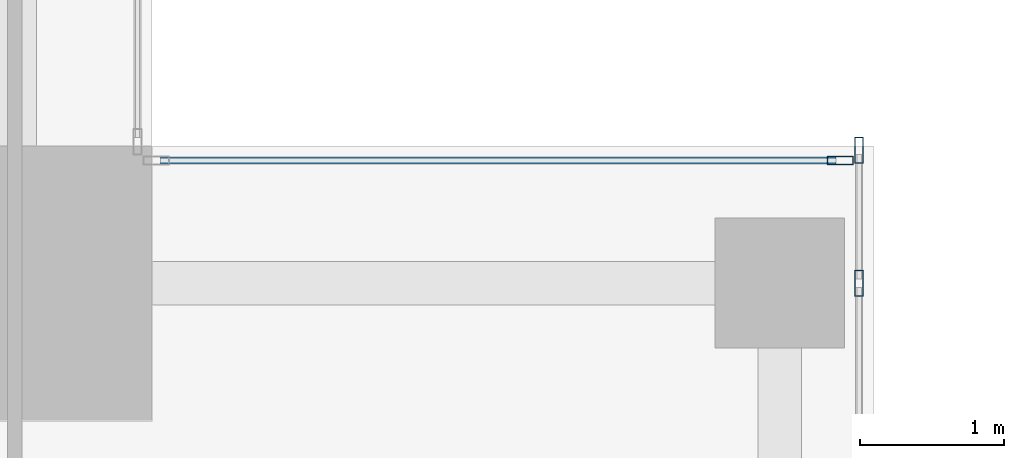
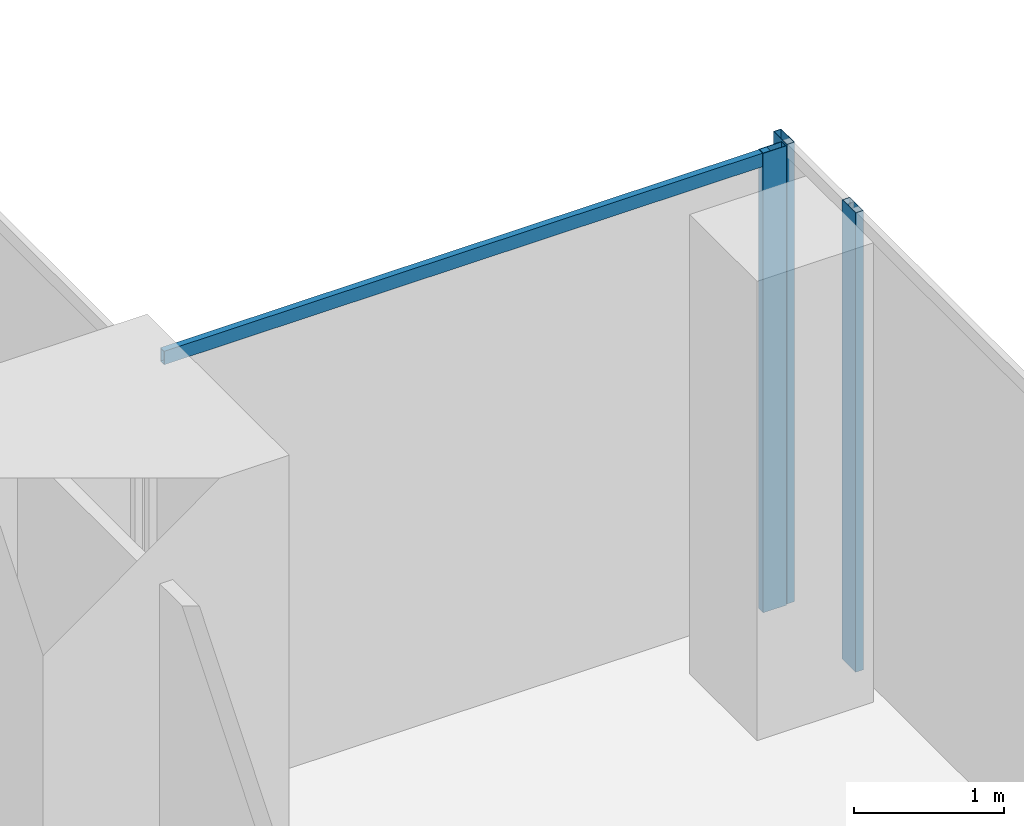
# One storey, part 24 of 36: 4 members, 2 elements without a shape of their own.
"""IFC4 building model written with IfcOpenShell, lengths in metres."""

import ifcopenshell
import ifcopenshell.guid

model = None  # the IFC model being written
_history = None  # IfcOwnerHistory: only IFC2X3 demands one
_inside = {}  # id of a spatial element -> (the spatial element, [elements in it])
_under = {}  # id of a project, library or spatial element -> (it, [spatial elements below it])
_declared = {}  # id of a project -> (the project, [libraries it declares])
_typed = {}  # id of a type object -> (the type object, [elements of that type])
_made_of = {}  # id of a material, layer set ... -> (it, [elements and type objects made of it])


def new_model(schema):
    """Start an empty IFC model of exactly this schema.

    Asked for "IFC4X3", IfcOpenShell would pick the latest addendum, in which some entities
    have other attributes; the version numbers below select the first issue.
    IFC2X3 requires an IfcOwnerHistory on every rooted entity: one is made here for all.
    """
    global model, _history
    if schema == "IFC4X3":
        model = ifcopenshell.file(schema_version=(4, 3, 0, 0))
    else:
        model = ifcopenshell.file(schema=schema)
    _inside.clear()
    _under.clear()
    _declared.clear()
    _typed.clear()
    _made_of.clear()
    _history = None
    if model.schema == "IFC2X3":
        org = make("IfcOrganization", Name="unknown")
        user = make(
            "IfcPersonAndOrganization",
            ThePerson=make("IfcPerson", FamilyName="unknown"),
            TheOrganization=org,
        )
        app = make(
            "IfcApplication",
            ApplicationDeveloper=org,
            Version="unknown",
            ApplicationFullName="unknown",
            ApplicationIdentifier="unknown",
        )
        _history = make(
            "IfcOwnerHistory",
            OwningUser=user,
            OwningApplication=app,
            ChangeAction="ADDED",
            CreationDate=0,
        )
    return model


def make(cls, **values):
    """One entity of the class cls with the attributes given. An attribute that is None is left unset."""
    return model.create_entity(
        cls, **{name: value for name, value in values.items() if value is not None}
    )


def rooted(cls, **values):
    """An entity with a GlobalId (a new one), such as an element, a storey or a relation."""
    return make(cls, GlobalId=ifcopenshell.guid.new(), OwnerHistory=_history, **values)


def si_unit(unit_type, name, prefix=None):
    """IfcSIUnit, for example si_unit("LENGTHUNIT", "METRE", prefix="MILLI")."""
    return make("IfcSIUnit", UnitType=unit_type, Prefix=prefix, Name=name)


def assignment(units):
    """IfcUnitAssignment: the units of a project."""
    return None if units is None else make("IfcUnitAssignment", Units=units)


def point(xyz):
    """IfcCartesianPoint."""
    return None if xyz is None else make("IfcCartesianPoint", Coordinates=xyz)


def direction(xyz):
    """IfcDirection."""
    return None if xyz is None else make("IfcDirection", DirectionRatios=xyz)


def frame(location, z_axis=None, x_axis=None):
    """IfcAxis2Placement3D, a coordinate frame: its origin and axes. An axis left out is left unset."""
    return make(
        "IfcAxis2Placement3D",
        Location=point(location),
        Axis=direction(z_axis),
        RefDirection=direction(x_axis),
    )


def frame_2d(location, x_axis=None):
    """IfcAxis2Placement2D, a coordinate frame in the plane: its origin and x axis."""
    return make(
        "IfcAxis2Placement2D", Location=point(location), RefDirection=direction(x_axis)
    )


def origin():
    """The frame at (0, 0, 0) with its axes left unset."""
    return frame((0.0, 0.0, 0.0))


def origin_2d():
    """The frame at (0, 0) in the plane with its x axis left unset."""
    return frame_2d((0.0, 0.0))


def place(relative_to, where):
    """IfcLocalPlacement: puts the frame where relative to a parent placement (None: the world)."""
    return make(
        "IfcLocalPlacement", PlacementRelTo=relative_to, RelativePlacement=where
    )


def context(
    kind, dimensions, precision=None, world=None, true_north=None, identifier=None
):
    """IfcGeometricRepresentationContext, for example the 3D "Model" context."""
    return make(
        "IfcGeometricRepresentationContext",
        ContextIdentifier=identifier,
        ContextType=kind,
        CoordinateSpaceDimension=dimensions,
        Precision=precision,
        WorldCoordinateSystem=world,
        TrueNorth=true_north,
    )


def subcontext(parent, identifier, kind, view, scale=None):
    """IfcGeometricRepresentationSubContext, for example "Body" below "Model"."""
    return make(
        "IfcGeometricRepresentationSubContext",
        ContextIdentifier=identifier,
        ContextType=kind,
        ParentContext=parent,
        TargetScale=scale,
        TargetView=view,
    )


def project(units=None, contexts=None):
    """IfcProject with its units and contexts."""
    return rooted(
        "IfcProject",
        Name="project",
        RepresentationContexts=contexts,
        UnitsInContext=assignment(units),
    )


def spatial(cls, under=None, at=None, **own):
    """A site, building, storey or space (cls), placed at a placement, below another one or the project."""
    s = rooted(cls, ObjectPlacement=at, **own)
    if under is not None:
        _under.setdefault(under.id(), (under, []))[1].append(s)
    return s


def profile(cls, at=None, kind="AREA", **sizes):
    """A parametric profile (cls). Its sizes go by their IFC names, for example OverallWidth=200.0."""
    return make(cls, ProfileType=kind, Position=at, **sizes)


def hollow_rectangle(**sizes):
    """IfcRectangleHollowProfileDef."""
    return profile("IfcRectangleHollowProfileDef", **sizes)


def extrude(swept, where, along, depth):
    """IfcExtrudedAreaSolid: the profile swept, set in the frame where, extruded along a direction by depth."""
    return make(
        "IfcExtrudedAreaSolid",
        SweptArea=swept,
        Position=where,
        ExtrudedDirection=direction(along),
        Depth=depth,
    )


def shape(context_of_items, identifier, shape_type, items):
    """IfcShapeRepresentation: the items that make up one representation, for example the "Body"."""
    return make(
        "IfcShapeRepresentation",
        ContextOfItems=context_of_items,
        RepresentationIdentifier=identifier,
        RepresentationType=shape_type,
        Items=items,
    )


def source(mapping_origin, context_of_items, identifier, shape_type, items):
    """IfcRepresentationMap: a shape defined once, which mapped items show again and again."""
    return make(
        "IfcRepresentationMap",
        MappingOrigin=mapping_origin,
        MappedRepresentation=shape(context_of_items, identifier, shape_type, items),
    )


def transform(
    local_origin,
    x_axis=None,
    y_axis=None,
    z_axis=None,
    scale=None,
    scale2=None,
    scale3=None,
    uniform=True,
):
    """IfcCartesianTransformationOperator3D, or its non-uniform kind. x_axis, y_axis, z_axis: its Axis1, 2, 3."""
    if uniform:
        return make(
            "IfcCartesianTransformationOperator3D",
            Axis1=direction(x_axis),
            Axis2=direction(y_axis),
            LocalOrigin=point(local_origin),
            Scale=scale,
            Axis3=direction(z_axis),
        )
    return make(
        "IfcCartesianTransformationOperator3DnonUniform",
        Axis1=direction(x_axis),
        Axis2=direction(y_axis),
        LocalOrigin=point(local_origin),
        Scale=scale,
        Axis3=direction(z_axis),
        Scale2=scale2,
        Scale3=scale3,
    )


def mapped(mapping_source, mapping_target):
    """IfcMappedItem: shows the shape of a source again, moved by a transform."""
    return make(
        "IfcMappedItem", MappingSource=mapping_source, MappingTarget=mapping_target
    )


def material(Name=None, Category=None):
    """IfcMaterial."""
    return make("IfcMaterial", Name=Name, Category=Category)


def material_profile(
    of_material, cross_section, Name=None, Category=None, Priority=None
):
    """IfcMaterialProfile: a cross section and its material."""
    return make(
        "IfcMaterialProfile",
        Name=Name,
        Material=of_material,
        Profile=cross_section,
        Priority=Priority,
        Category=Category,
    )


def profile_set(profiles, Name=None, composite=None):
    """IfcMaterialProfileSet."""
    return make(
        "IfcMaterialProfileSet",
        Name=Name,
        MaterialProfiles=profiles,
        CompositeProfile=composite,
    )


def made_of(thing, what):
    """Note that an element or type object is made of a material, layer set ...; save() writes the relation."""
    if what is not None:
        _made_of.setdefault(what.id(), (what, []))[1].append(thing)
    return thing


def type_object(cls, material=None, **own):
    """A type object (cls), such as IfcWallType, which elements share."""
    return made_of(rooted(cls, **own), material)


def element(
    cls,
    number,
    at=None,
    inside=None,
    cuts=None,
    type_object=None,
    material=None,
    context=None,
    identifier="Body",
    shape_type=None,
    held_by="IfcProductDefinitionShape",
    body=None,
    shapes=None,
    **own,
):
    """One element of the class cls, such as IfcWall. Its Tag is "e" and its number.

    at: its placement. inside: the storey or other place that contains it. cuts: it is an
    opening in that element (IfcRelVoidsElement). A single representation is given by context,
    identifier, shape_type and body (its items); several are given by shapes. held_by: the class
    of the entity that holds the representations. save() writes the other relations.
    """
    e = rooted(cls, Tag="e%d" % number, ObjectPlacement=at, **own)
    if body is not None:
        shapes = [shape(context, identifier, shape_type, body)]
    if shapes is not None:
        e.Representation = make(held_by, Representations=shapes)
    if inside is not None:
        _inside.setdefault(inside.id(), (inside, []))[1].append(e)
    if cuts is not None:
        rooted(
            "IfcRelVoidsElement", RelatingBuildingElement=cuts, RelatedOpeningElement=e
        )
    if type_object is not None:
        _typed.setdefault(type_object.id(), (type_object, []))[1].append(e)
    return made_of(e, material)


def aggregate(whole, parts):
    """IfcRelAggregates: a whole, such as a stair, and the parts it consists of."""
    return rooted("IfcRelAggregates", RelatingObject=whole, RelatedObjects=parts)


def save(model, path):
    """Write the relations noted so far, then the file.

    IfcRelAggregates (storeys below a building ...), IfcRelContainedInSpatialStructure (elements
    in a storey), IfcRelDefinesByType, IfcRelAssociatesMaterial and IfcRelDeclares: one each for
    every whole, place, type object, material and project.
    """
    for whole, parts in _under.values():
        aggregate(whole, parts)
    for where, things in _inside.values():
        rooted(
            "IfcRelContainedInSpatialStructure",
            RelatedElements=things,
            RelatingStructure=where,
        )
    for kind, things in _typed.values():
        rooted("IfcRelDefinesByType", RelatedObjects=things, RelatingType=kind)
    for what, things in _made_of.values():
        rooted("IfcRelAssociatesMaterial", RelatedObjects=things, RelatingMaterial=what)
    for by, libraries in _declared.values():
        rooted("IfcRelDeclares", RelatingContext=by, RelatedDefinitions=libraries)
    model.write(path)


model = new_model("IFC4")

# Units and contexts
model_context = context("Model", 3, precision=1e-05, world=origin(), true_north=direction((0.0, 1.0)))
body_context = subcontext(model_context, "Body", "Model", "MODEL_VIEW")
ifc_project = project(units=[si_unit("LENGTHUNIT", "METRE"), si_unit("AREAUNIT", "SQUARE_METRE"), si_unit("VOLUMEUNIT", "CUBIC_METRE"), si_unit("PLANEANGLEUNIT", "RADIAN"), si_unit("MASSUNIT", "GRAM", prefix="KILO")], contexts=[model_context])

# Site, building, storey
site_placement = place(None, origin())
site = spatial("IfcSite", under=ifc_project, at=site_placement, CompositionType="ELEMENT")
building_placement = place(site_placement, origin())
building = spatial("IfcBuilding", under=site, at=building_placement, Name="Khomas Fold Tower", CompositionType="ELEMENT")
storey_placement = place(building_placement, frame((0.0, 0.0, 238.199951171875)))
storey = spatial("IfcBuildingStorey", under=building, at=storey_placement, Name="L53", CompositionType="ELEMENT", Elevation=238.199951171875)

# Curtain wall, members
ifc_material_1 = material(Name="Aluminium framed double glazing", Category="aluminium")
curtain_wall_type = type_object("IfcCurtainWallType", Name="SK-Unitised clear-glass wall, office floors CW2", PredefinedType="NOTDEFINED", material=ifc_material_1)
curtain_wall_1_placement = place(storey_placement, origin())
curtain_wall_1 = element("IfcCurtainWall", 1, at=curtain_wall_1_placement, inside=storey, type_object=curtain_wall_type, Name="CW2 run L53 03-0", PredefinedType="NOTDEFINED")
ifc_material_2 = material(Name="Aluminium", Category="aluminium")
ifc_material_profile_1 = material_profile(ifc_material_2, hollow_rectangle(XDim=0.06005859375, YDim=0.179931640625, WallThickness=0.00390625, at=origin_2d()), Name="SK-Unitised clear-glass wall, office floors mullion CW2-M")
ifc_profile_set_1 = profile_set([ifc_material_profile_1], Name="Aluminium")
member_type_1 = type_object("IfcMemberType", Name="SK-Unitised clear-glass wall, office floors mullion CW2-M", PredefinedType="MULLION", material=ifc_profile_set_1)
shared_shape_1 = source(origin(), body_context, "Body", "SweptSolid", [
    extrude(hollow_rectangle(XDim=0.06005859375, YDim=0.179931640625, WallThickness=0.00390625, at=origin_2d()), origin(), (0.0, 0.0, 1.0), 3.75),
])
member_1_placement = place(storey_placement, frame((49.39990234375, 43.550048828125, 0.0), z_axis=(0.0, 0.0, 1.0), x_axis=(-1.0, 0.0, 0.0)))
member_1 = element("IfcMember", 2, at=member_1_placement, type_object=member_type_1, Name="CW2 mullion 6", PredefinedType="MULLION", context=body_context, shape_type="MappedRepresentation", body=[
    mapped(shared_shape_1, transform((0.0, 0.0, 0.0))),
])
member_2_placement = place(storey_placement, frame((49.39990234375, 44.469970703125, 0.0), z_axis=(0.0, 0.0, 1.0), x_axis=(-1.0, 0.0, 0.0)))
member_2 = element("IfcMember", 3, at=member_2_placement, type_object=member_type_1, Name="CW2 mullion 7", PredefinedType="MULLION", context=body_context, shape_type="MappedRepresentation", body=[
    mapped(shared_shape_1, transform((0.0, 0.0, 0.0))),
])
aggregate(curtain_wall_1, [member_1, member_2])

curtain_wall_2_placement = place(storey_placement, origin())
curtain_wall_2 = element("IfcCurtainWall", 4, at=curtain_wall_2_placement, inside=storey, type_object=curtain_wall_type, Name="CW2 corner return L53 04", PredefinedType="NOTDEFINED")
member_3_placement = place(storey_placement, frame((49.27001953125, 44.39990234375, 0.0), z_axis=(0.0, 0.0, 1.0), x_axis=(0.0, -1.0, 0.0)))
member_3 = element("IfcMember", 5, at=member_3_placement, type_object=member_type_1, Name="CW2 mullion 1", PredefinedType="MULLION", context=body_context, shape_type="MappedRepresentation", body=[
    mapped(shared_shape_1, transform((0.0, 0.0, 0.0))),
])
ifc_material_3 = material(Name="Aluminium", Category="aluminium")
ifc_material_profile_2 = material_profile(ifc_material_3, hollow_rectangle(XDim=0.050048828125, YDim=0.110107421875, WallThickness=0.00390625, at=origin_2d()), Name="SK-Unitised clear-glass wall, office floors transom CW2-T")
ifc_profile_set_2 = profile_set([ifc_material_profile_2], Name="Aluminium")
member_type_2 = type_object("IfcMemberType", Name="SK-Unitised clear-glass wall, office floors transom CW2-T", PredefinedType="USERDEFINED", material=ifc_profile_set_2)
shared_shape_2 = source(origin(), body_context, "Body", "SweptSolid", [
    extrude(hollow_rectangle(XDim=0.050048828125, YDim=0.110107421875, WallThickness=0.00390625, at=origin_2d()), origin(), (0.0, 0.0, 1.0), 4.679931640625),
])
member_4_placement = place(storey_placement, frame((49.239990234375, 44.39990234375, 3.695068359375), z_axis=(-1.0, 0.0, 0.0), x_axis=(0.0, -1.0, 0.0)))
member_4 = element("IfcMember", 6, at=member_4_placement, type_object=member_type_2, Name="CW2 transom 1", ObjectType="TRANSOM", PredefinedType="USERDEFINED", context=body_context, shape_type="MappedRepresentation", body=[
    mapped(shared_shape_2, transform((0.0, 0.0, 0.0))),
])
aggregate(curtain_wall_2, [member_3, member_4])

save(model, "model.ifc")
